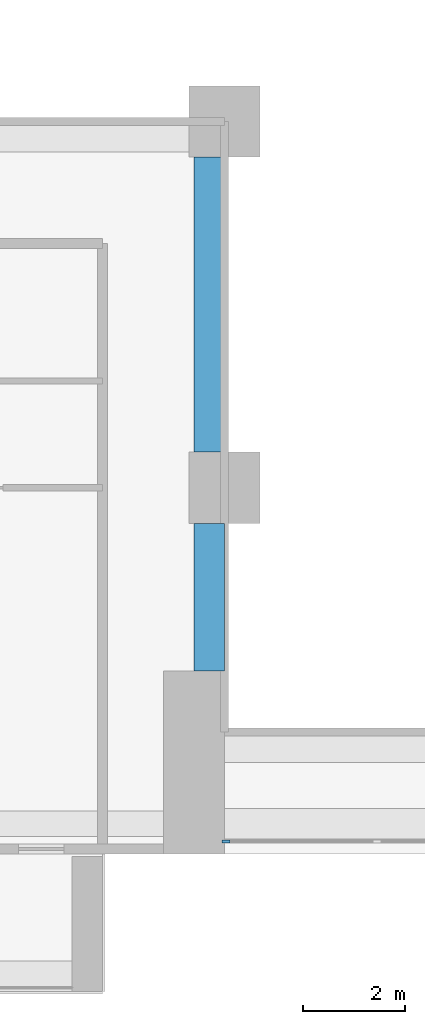
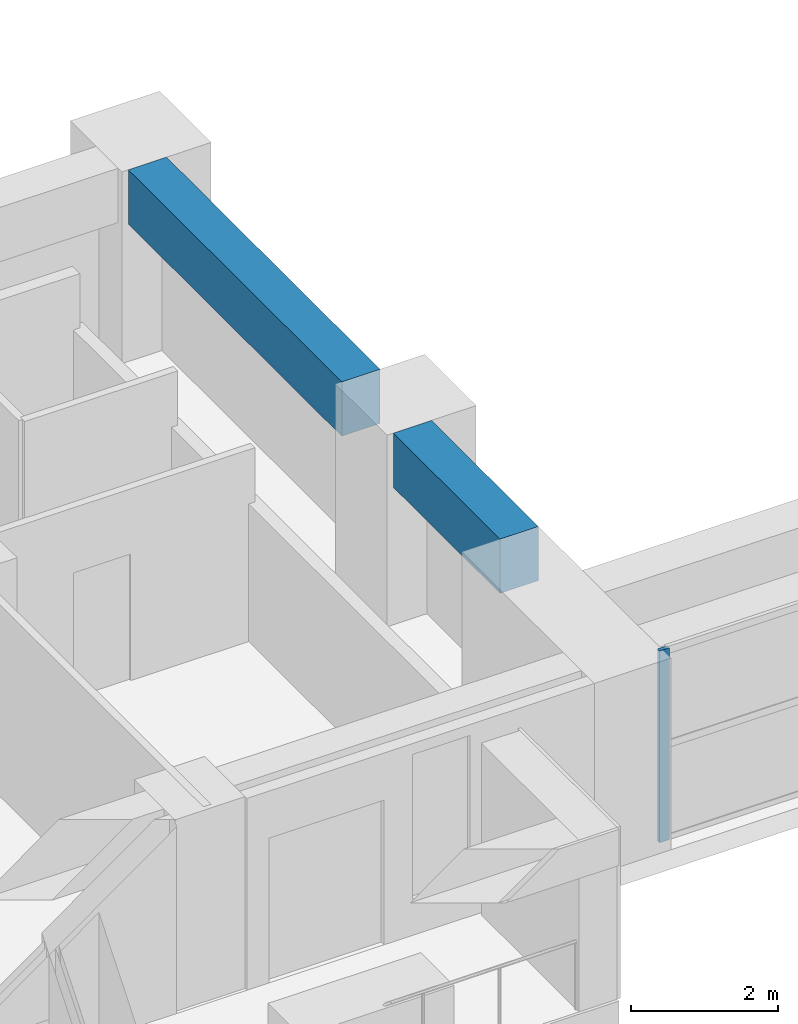
# One storey, part 2 of 17: 2 beams, 1 member, 1 element without a shape of its own.
"""IFC4 building model written with IfcOpenShell, lengths in metres."""

from ifc_helpers import new_model, si_unit, direction, frame, origin, origin_2d, place, context, subcontext, project, spatial, rectangle, extrude, source, transform, mapped, material, layer, layer_set, material_profile, profile_set, type_object, element, aggregate, save


model = new_model("IFC4")

# Units and contexts
model_context = context("Model", 3, precision=1e-05, world=origin(), true_north=direction((0.0, 1.0)))
body_context = subcontext(model_context, "Body", "Model", "MODEL_VIEW")
ifc_project = project(units=[si_unit("LENGTHUNIT", "METRE"), si_unit("AREAUNIT", "SQUARE_METRE"), si_unit("VOLUMEUNIT", "CUBIC_METRE"), si_unit("PLANEANGLEUNIT", "RADIAN"), si_unit("MASSUNIT", "GRAM", prefix="KILO")], contexts=[model_context])

# Site, building, storey
site_placement = place(None, origin())
site = spatial("IfcSite", under=ifc_project, at=site_placement, CompositionType="ELEMENT")
building_placement = place(site_placement, origin())
building = spatial("IfcBuilding", under=site, at=building_placement, Name="Saffron Iwan Residences", CompositionType="ELEMENT")
storey_placement = place(building_placement, frame((0.0, 0.0, 41.0)))
storey = spatial("IfcBuildingStorey", under=building, at=storey_placement, Name="L09", CompositionType="ELEMENT", Elevation=41.0)

# Beams
ifc_material_1 = material(Name="Concrete C60/75", Category="concrete")
ifc_material_profile_1 = material_profile(ifc_material_1, rectangle(XDim=0.60009765625, YDim=0.89990234375, at=origin_2d()), Name="RC 600x900")
ifc_profile_set_1 = profile_set([ifc_material_profile_1], Name="Concrete C60/75")
beam_type = type_object("IfcBeamType", Name="BEAM RC 600x900 C60/75 TOP 3180", PredefinedType="BEAM", material=ifc_profile_set_1)
shared_shape_1 = source(origin(), body_context, "Body", "SweptSolid", [
    extrude(rectangle(XDim=0.60009765625, YDim=0.89990234375, at=origin_2d()), origin(), (0.0, 0.0, 1.0), 2.900146484375),
])
beam_1_placement = place(storey_placement, frame((42.89990234375, 37.199951171875, 2.72998046875), z_axis=(0.0, 1.0, 0.0), x_axis=(-1.0, 0.0, 0.0)))
element("IfcBeam", 1, at=beam_1_placement, inside=storey, type_object=beam_type, Name="Atrium edge beam", PredefinedType="BEAM", context=body_context, shape_type="MappedRepresentation", body=[
    mapped(shared_shape_1, transform((0.0, 0.0, 0.0))),
])
shared_shape_2 = source(origin(), body_context, "Body", "SweptSolid", [
    extrude(rectangle(XDim=0.60009765625, YDim=0.89990234375, at=origin_2d()), origin(), (0.0, 0.0, 1.0), 5.800048828125),
])
beam_2_placement = place(storey_placement, frame((42.89990234375, 41.5, 2.72998046875), z_axis=(0.0, 1.0, 0.0), x_axis=(-1.0, 0.0, 0.0)))
element("IfcBeam", 2, at=beam_2_placement, inside=storey, type_object=beam_type, Name="Atrium edge beam", PredefinedType="BEAM", context=body_context, shape_type="MappedRepresentation", body=[
    mapped(shared_shape_2, transform((0.0, 0.0, 0.0))),
])

# Curtain wall, member
ifc_material_2 = material(Name="Clear glass, laminated double glazed", Category="glass")
ifc_layer = layer(ifc_material_2, 0.199951171875)
ifc_layer_set = layer_set([ifc_layer], Name="Clear glass, laminated double glazed")
curtain_wall_type = type_object("IfcCurtainWallType", Name="CW-B IWAN PORTAL", PredefinedType="NOTDEFINED", material=ifc_layer_set)
curtain_wall_placement = place(storey_placement, origin())
curtain_wall = element("IfcCurtainWall", 3, at=curtain_wall_placement, inside=storey, type_object=curtain_wall_type, Name="Iwan portal glazing L09.1", PredefinedType="NOTDEFINED")
ifc_material_3 = material(Name="Aluminium 6063-T6", Category="aluminium")
ifc_material_profile_2 = material_profile(ifc_material_3, rectangle(XDim=0.06005859375, YDim=0.159912109375, at=origin_2d()), Name="CW-B MULLION 60 x 160")
ifc_profile_set_2 = profile_set([ifc_material_profile_2], Name="Aluminium 6063-T6")
member_type = type_object("IfcMemberType", Name="CW-B MULLION 60 x 160", PredefinedType="MULLION", material=ifc_profile_set_2)
shared_shape_3 = source(origin(), body_context, "Body", "SweptSolid", [
    extrude(rectangle(XDim=0.06005859375, YDim=0.159912109375, at=origin_2d()), origin(), (0.0, 0.0, 1.0), 3.179931640625),
])
member_placement = place(storey_placement, frame((43.22998046875, 33.85009765625, 0.0), z_axis=(0.0, 0.0, 1.0), x_axis=(0.0, 1.0, 0.0)))
member = element("IfcMember", 4, at=member_placement, type_object=member_type, Name="CW-B mullion 1", PredefinedType="MULLION", context=body_context, shape_type="MappedRepresentation", body=[
    mapped(shared_shape_3, transform((0.0, 0.0, 0.0))),
])
aggregate(curtain_wall, [member])

save(model, "model.ifc")
